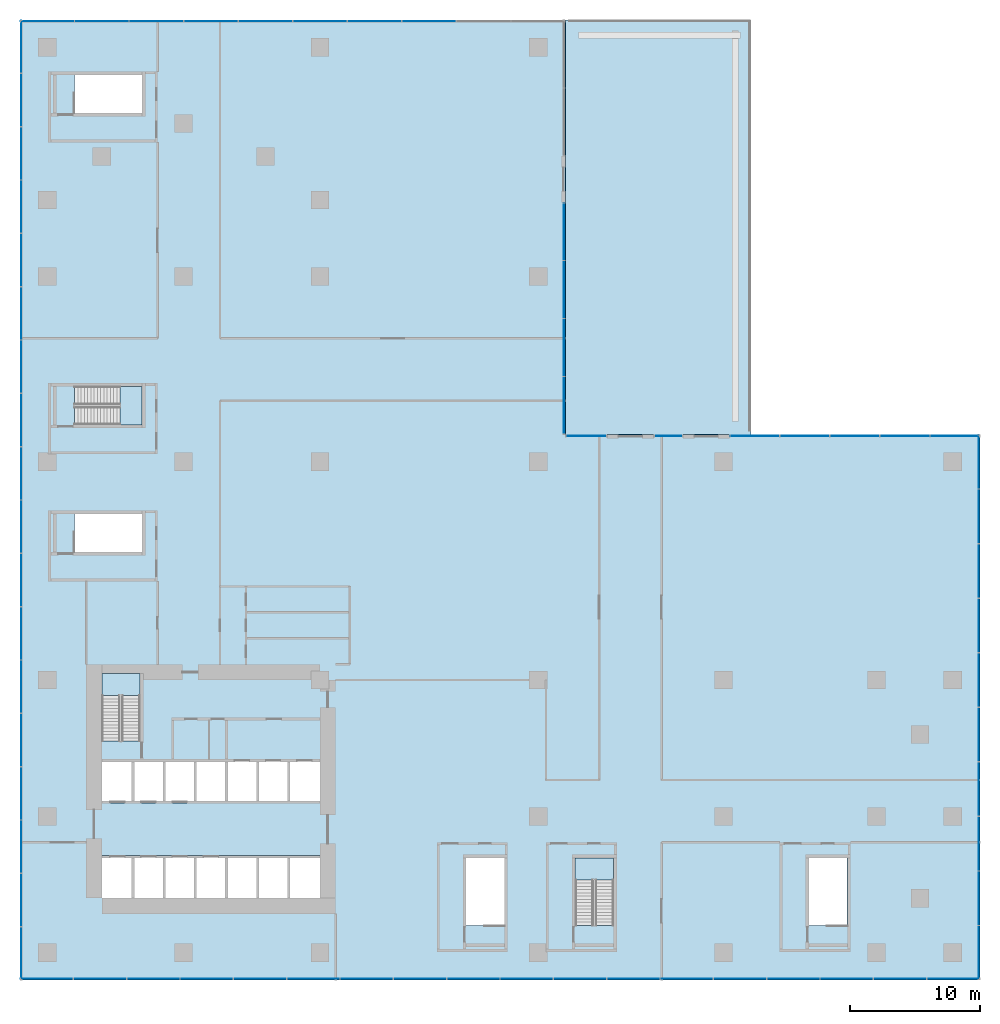
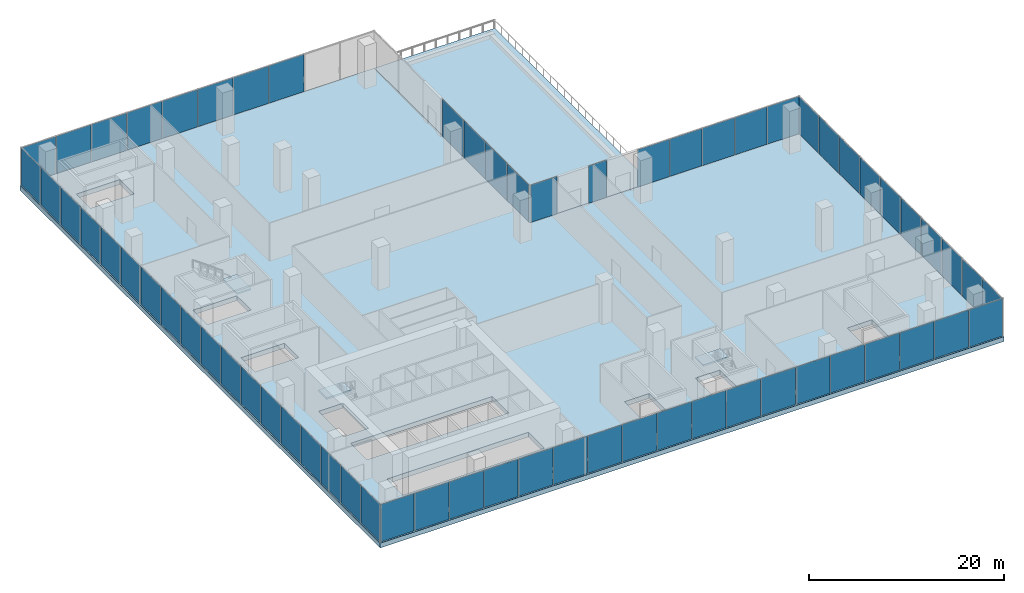
# One storey, part 12 of 21: 65 plates, 5 slabs, 11 elements without a shape of their own.
"""IFC4 building model written with IfcOpenShell, lengths in metres."""

from ifc_helpers import new_model, si_unit, direction, frame, origin, origin_2d, place, context, subcontext, project, spatial, polyline, rectangle, outline, extrude, source, transform, mapped, material, layer, layer_set, type_object, element, aggregate, save


model = new_model("IFC4")

# Units and contexts
model_context = context("Model", 3, precision=1e-05, world=origin(), true_north=direction((0.0, 1.0)))
body_context = subcontext(model_context, "Body", "Model", "MODEL_VIEW")
ifc_project = project(units=[si_unit("LENGTHUNIT", "METRE"), si_unit("AREAUNIT", "SQUARE_METRE"), si_unit("VOLUMEUNIT", "CUBIC_METRE"), si_unit("PLANEANGLEUNIT", "RADIAN"), si_unit("MASSUNIT", "GRAM", prefix="KILO")], contexts=[model_context])

# Site, building, storey
site_placement = place(None, origin())
site = spatial("IfcSite", under=ifc_project, at=site_placement, CompositionType="ELEMENT")
building_placement = place(site_placement, origin())
building = spatial("IfcBuilding", under=site, at=building_placement, Name="Aurelian Terraces", CompositionType="ELEMENT")
storey_placement = place(building_placement, frame((0.0, 0.0, 29.1)))
storey = spatial("IfcBuildingStorey", under=building, at=storey_placement, Name="L05", CompositionType="ELEMENT", Elevation=29.1)

# Slabs
ifc_material_1 = material(Name="Concrete fc' 40 MPa", Category="concrete")
ifc_layer_1 = layer(ifc_material_1, 0.6)
ifc_layer_set_1 = layer_set([ifc_layer_1], Name="PT FLAT PLATE 600")
slab_type_1 = type_object("IfcSlabType", Name="PT FLAT PLATE 600", PredefinedType="FLOOR", material=ifc_layer_set_1)
slab_1_placement = place(storey_placement, frame((0.0, 0.0, -0.6)))
element("IfcSlab", 1, at=slab_1_placement, inside=storey, type_object=slab_type_1, Name="Floor slab P L05", PredefinedType="FLOOR", context=body_context, shape_type="SweptSolid", body=[
    extrude(outline(polyline([(71.82, -2.1), (39.9, -2.1), (-2.1, -2.1), (-2.1, 39.9), (-2.1, 71.82), (39.9, 71.82), (39.9, 39.9), (71.82, 39.9), (71.82, -2.1)]), holes=[polyline([(58.66, 7.29), (58.66, 2.11), (61.59, 2.11), (61.59, 7.29), (58.66, 7.29)]), polyline([(40.66, 7.29), (40.66, 2.11), (43.59, 2.11), (43.59, 7.29), (40.66, 7.29)]), polyline([(32.26, 7.29), (32.26, 2.11), (35.19, 2.11), (35.19, 7.29), (32.26, 7.29)]), polyline([(4.21, 7.49), (4.21, 4.21), (20.99, 4.21), (20.99, 7.49), (4.21, 7.49)]), polyline([(4.21, 14.89), (4.21, 11.51), (20.99, 11.51), (20.99, 14.89), (4.21, 14.89)]), polyline([(7.29, 40.66), (7.29, 43.59), (2.11, 43.59), (2.11, 40.66), (7.29, 40.66)]), polyline([(7.29, 64.66), (7.29, 67.59), (2.11, 67.59), (2.11, 64.66), (7.29, 64.66)]), polyline([(7.29, 33.79), (2.11, 33.79), (2.11, 30.86), (7.29, 30.86), (7.29, 33.79)]), polyline([(4.21, 21.49), (4.21, 16.31), (7.14, 16.31), (7.14, 21.49), (4.21, 21.49)])]), origin(), (0.0, 0.0, 1.0), 0.6),
])
ifc_layer_2 = layer(ifc_material_1, 0.6001)
ifc_layer_set_2 = layer_set([ifc_layer_2], Name="Terrace slab 600")
slab_type_2 = type_object("IfcSlabType", Name="Terrace slab 600", PredefinedType="NOTDEFINED", material=ifc_layer_set_2)
slab_2_placement = place(storey_placement, frame((0.0, 0.0, -0.6001)))
element("IfcSlab", 2, at=slab_2_placement, inside=storey, type_object=slab_type_2, Name="Podium garden terrace L05 L05-X1", PredefinedType="NOTDEFINED", context=body_context, shape_type="SweptSolid", body=[
    extrude(outline(polyline([(54.18, 71.82), (54.18, 39.9), (39.9, 39.9), (39.9, 71.82), (54.18, 71.82)])), origin(), (0.0, 0.0, 1.0), 0.6001),
])

# Curtain wall, plates
ifc_material_2 = material(Name="Anodised aluminium and clear glazing", Category="aluminium")
ifc_layer_3 = layer(ifc_material_2, 0.2)
ifc_layer_set_3 = layer_set([ifc_layer_3], Name="Winter garden glazing curtain wall")
curtain_wall_type = type_object("IfcCurtainWallType", Name="Winter garden glazing curtain wall", PredefinedType="NOTDEFINED", material=ifc_layer_set_3)
curtain_wall_1_placement = place(storey_placement, origin())
curtain_wall_1 = element("IfcCurtainWall", 3, at=curtain_wall_1_placement, inside=storey, type_object=curtain_wall_type, Name="Winter garden glazing L05 F04.1", PredefinedType="NOTDEFINED")
ifc_material_3 = material(Name="Clear glazing", Category="glass")
ifc_layer_4 = layer(ifc_material_3, 0.028)
ifc_layer_set_4 = layer_set([ifc_layer_4], Name="Winter garden glazing glazing panel")
plate_type = type_object("IfcPlateType", Name="Winter garden glazing glazing panel", PredefinedType="CURTAIN_PANEL", material=ifc_layer_set_4)
plate_1_placement = place(storey_placement, frame((39.8, 42.1475, 0.06), z_axis=(0.0, 0.0, 1.0), x_axis=(0.0, 1.0, 0.0)))
plate_1 = element("IfcPlate", 4, at=plate_1_placement, type_object=plate_type, Name="CW6 panel 1.1", PredefinedType="CURTAIN_PANEL", context=body_context, shape_type="SweptSolid", body=[
    extrude(rectangle(XDim=4.375, YDim=0.028, at=origin_2d()), origin(), (0.0, 0.0, 1.0), 4.68),
])
plate_2_placement = place(storey_placement, frame((39.8, 46.5975, 0.06), z_axis=(0.0, 0.0, 1.0), x_axis=(0.0, 1.0, 0.0)))
plate_2 = element("IfcPlate", 5, at=plate_2_placement, type_object=plate_type, Name="CW6 panel 2.1", PredefinedType="CURTAIN_PANEL", context=body_context, shape_type="SweptSolid", body=[
    extrude(rectangle(XDim=4.405, YDim=0.028, at=origin_2d()), origin(), (0.0, 0.0, 1.0), 4.68),
])

curtain_wall_2_placement = place(storey_placement, origin())
curtain_wall_2 = element("IfcCurtainWall", 6, at=curtain_wall_2_placement, inside=storey, type_object=curtain_wall_type, Name="Winter garden glazing L05 F02.1", PredefinedType="NOTDEFINED")
shared_shape_1 = source(origin(), body_context, "Body", "SweptSolid", [
    extrude(rectangle(XDim=4.14, YDim=0.028, at=origin_2d()), origin(), (0.0, 0.0, 1.0), 4.68),
])
plate_3_placement = place(storey_placement, frame((71.72, 4.2, 0.06), z_axis=(0.0, 0.0, 1.0), x_axis=(0.0, 1.0, 0.0)))
plate_3 = element("IfcPlate", 7, at=plate_3_placement, type_object=plate_type, Name="CW6 panel 2.1", PredefinedType="CURTAIN_PANEL", context=body_context, shape_type="MappedRepresentation", body=[
    mapped(shared_shape_1, transform((0.0, 0.0, 0.0), scale=1.0)),
])
plate_4_placement = place(storey_placement, frame((71.72, 8.4, 0.06), z_axis=(0.0, 0.0, 1.0), x_axis=(0.0, 1.0, 0.0)))
plate_4 = element("IfcPlate", 8, at=plate_4_placement, type_object=plate_type, Name="CW6 panel 3.1", PredefinedType="CURTAIN_PANEL", context=body_context, shape_type="MappedRepresentation", body=[
    mapped(shared_shape_1, transform((0.0, 0.0, 0.0), scale=1.0)),
])
plate_5_placement = place(storey_placement, frame((71.72, 12.6, 0.06), z_axis=(0.0, 0.0, 1.0), x_axis=(0.0, 1.0, 0.0)))
plate_5 = element("IfcPlate", 9, at=plate_5_placement, type_object=plate_type, Name="CW6 panel 4.1", PredefinedType="CURTAIN_PANEL", context=body_context, shape_type="MappedRepresentation", body=[
    mapped(shared_shape_1, transform((0.0, 0.0, 0.0), scale=1.0)),
])
plate_6_placement = place(storey_placement, frame((71.72, 16.8, 0.06), z_axis=(0.0, 0.0, 1.0), x_axis=(0.0, 1.0, 0.0)))
plate_6 = element("IfcPlate", 10, at=plate_6_placement, type_object=plate_type, Name="CW6 panel 5.1", PredefinedType="CURTAIN_PANEL", context=body_context, shape_type="MappedRepresentation", body=[
    mapped(shared_shape_1, transform((0.0, 0.0, 0.0), scale=1.0)),
])
plate_7_placement = place(storey_placement, frame((71.72, 21.0, 0.06), z_axis=(0.0, 0.0, 1.0), x_axis=(0.0, 1.0, 0.0)))
plate_7 = element("IfcPlate", 11, at=plate_7_placement, type_object=plate_type, Name="CW6 panel 6.1", PredefinedType="CURTAIN_PANEL", context=body_context, shape_type="MappedRepresentation", body=[
    mapped(shared_shape_1, transform((0.0, 0.0, 0.0), scale=1.0)),
])
plate_8_placement = place(storey_placement, frame((71.72, 25.2, 0.06), z_axis=(0.0, 0.0, 1.0), x_axis=(0.0, 1.0, 0.0)))
plate_8 = element("IfcPlate", 12, at=plate_8_placement, type_object=plate_type, Name="CW6 panel 7.1", PredefinedType="CURTAIN_PANEL", context=body_context, shape_type="MappedRepresentation", body=[
    mapped(shared_shape_1, transform((0.0, 0.0, 0.0), scale=1.0)),
])
plate_9_placement = place(storey_placement, frame((71.72, 29.4, 0.06), z_axis=(0.0, 0.0, 1.0), x_axis=(0.0, 1.0, 0.0)))
plate_9 = element("IfcPlate", 13, at=plate_9_placement, type_object=plate_type, Name="CW6 panel 8.1", PredefinedType="CURTAIN_PANEL", context=body_context, shape_type="MappedRepresentation", body=[
    mapped(shared_shape_1, transform((0.0, 0.0, 0.0), scale=1.0)),
])
plate_10_placement = place(storey_placement, frame((71.72, 33.6, 0.06), z_axis=(0.0, 0.0, 1.0), x_axis=(0.0, 1.0, 0.0)))
plate_10 = element("IfcPlate", 14, at=plate_10_placement, type_object=plate_type, Name="CW6 panel 9.1", PredefinedType="CURTAIN_PANEL", context=body_context, shape_type="MappedRepresentation", body=[
    mapped(shared_shape_1, transform((0.0, 0.0, 0.0), scale=1.0)),
])

curtain_wall_3_placement = place(storey_placement, origin())
curtain_wall_3 = element("IfcCurtainWall", 15, at=curtain_wall_3_placement, inside=storey, type_object=curtain_wall_type, Name="Winter garden glazing L05 F05.1", PredefinedType="NOTDEFINED")
plate_11_placement = place(storey_placement, frame((29.4, 71.72, 0.06), z_axis=(0.0, 0.0, 1.0), x_axis=(-1.0, 0.0, 0.0)))
plate_11 = element("IfcPlate", 16, at=plate_11_placement, type_object=plate_type, Name="CW6 panel 3.1", PredefinedType="CURTAIN_PANEL", context=body_context, shape_type="MappedRepresentation", body=[
    mapped(shared_shape_1, transform((0.0, 0.0, 0.0), scale=1.0)),
])
plate_12_placement = place(storey_placement, frame((25.2, 71.72, 0.06), z_axis=(0.0, 0.0, 1.0), x_axis=(-1.0, 0.0, 0.0)))
plate_12 = element("IfcPlate", 17, at=plate_12_placement, type_object=plate_type, Name="CW6 panel 4.1", PredefinedType="CURTAIN_PANEL", context=body_context, shape_type="MappedRepresentation", body=[
    mapped(shared_shape_1, transform((0.0, 0.0, 0.0), scale=1.0)),
])
plate_13_placement = place(storey_placement, frame((21.0, 71.72, 0.06), z_axis=(0.0, 0.0, 1.0), x_axis=(-1.0, 0.0, 0.0)))
plate_13 = element("IfcPlate", 18, at=plate_13_placement, type_object=plate_type, Name="CW6 panel 5.1", PredefinedType="CURTAIN_PANEL", context=body_context, shape_type="MappedRepresentation", body=[
    mapped(shared_shape_1, transform((0.0, 0.0, 0.0), scale=1.0)),
])
plate_14_placement = place(storey_placement, frame((16.8, 71.72, 0.06), z_axis=(0.0, 0.0, 1.0), x_axis=(-1.0, 0.0, 0.0)))
plate_14 = element("IfcPlate", 19, at=plate_14_placement, type_object=plate_type, Name="CW6 panel 6.1", PredefinedType="CURTAIN_PANEL", context=body_context, shape_type="MappedRepresentation", body=[
    mapped(shared_shape_1, transform((0.0, 0.0, 0.0), scale=1.0)),
])
plate_15_placement = place(storey_placement, frame((12.6, 71.72, 0.06), z_axis=(0.0, 0.0, 1.0), x_axis=(-1.0, 0.0, 0.0)))
plate_15 = element("IfcPlate", 20, at=plate_15_placement, type_object=plate_type, Name="CW6 panel 7.1", PredefinedType="CURTAIN_PANEL", context=body_context, shape_type="MappedRepresentation", body=[
    mapped(shared_shape_1, transform((0.0, 0.0, 0.0), scale=1.0)),
])
plate_16_placement = place(storey_placement, frame((8.4, 71.72, 0.06), z_axis=(0.0, 0.0, 1.0), x_axis=(-1.0, 0.0, 0.0)))
plate_16 = element("IfcPlate", 21, at=plate_16_placement, type_object=plate_type, Name="CW6 panel 8.1", PredefinedType="CURTAIN_PANEL", context=body_context, shape_type="MappedRepresentation", body=[
    mapped(shared_shape_1, transform((0.0, 0.0, 0.0), scale=1.0)),
])
plate_17_placement = place(storey_placement, frame((4.2, 71.72, 0.06), z_axis=(0.0, 0.0, 1.0), x_axis=(-1.0, 0.0, 0.0)))
plate_17 = element("IfcPlate", 22, at=plate_17_placement, type_object=plate_type, Name="CW6 panel 9.1", PredefinedType="CURTAIN_PANEL", context=body_context, shape_type="MappedRepresentation", body=[
    mapped(shared_shape_1, transform((0.0, 0.0, 0.0), scale=1.0)),
])

# Plate
shared_shape_2 = source(origin(), body_context, "Body", "SweptSolid", [
    extrude(rectangle(XDim=4.11, YDim=0.028, at=origin_2d()), origin(), (0.0, 0.0, 1.0), 4.68),
])
plate_18_placement = place(storey_placement, frame((71.72, 0.015, 0.06), z_axis=(0.0, 0.0, 1.0), x_axis=(0.0, 1.0, 0.0)))
plate_18 = element("IfcPlate", 23, at=plate_18_placement, type_object=plate_type, Name="CW6 panel 1.1", PredefinedType="CURTAIN_PANEL", context=body_context, shape_type="MappedRepresentation", body=[
    mapped(shared_shape_2, transform((0.0, 0.0, 0.0), scale=1.0)),
])

plate_19_placement = place(storey_placement, frame((71.72, 37.785, 0.06), z_axis=(0.0, 0.0, 1.0), x_axis=(0.0, 1.0, 0.0)))
plate_19 = element("IfcPlate", 24, at=plate_19_placement, type_object=plate_type, Name="CW6 panel 10.1", PredefinedType="CURTAIN_PANEL", context=body_context, shape_type="MappedRepresentation", body=[
    mapped(shared_shape_2, transform((0.0, 0.0, 0.0), scale=1.0)),
])

aggregate(curtain_wall_2, [plate_18, plate_3, plate_4, plate_5, plate_6, plate_7, plate_8, plate_9, plate_10, plate_19])

plate_20_placement = place(storey_placement, frame((0.015, 71.72, 0.06), z_axis=(0.0, 0.0, 1.0), x_axis=(-1.0, 0.0, 0.0)))
plate_20 = element("IfcPlate", 25, at=plate_20_placement, type_object=plate_type, Name="CW6 panel 10.1", PredefinedType="CURTAIN_PANEL", context=body_context, shape_type="MappedRepresentation", body=[
    mapped(shared_shape_2, transform((0.0, 0.0, 0.0), scale=1.0)),
])

aggregate(curtain_wall_3, [plate_11, plate_12, plate_13, plate_14, plate_15, plate_16, plate_17, plate_20])

# Curtain wall, plates
curtain_wall_4_placement = place(storey_placement, origin())
curtain_wall_4 = element("IfcCurtainWall", 26, at=curtain_wall_4_placement, inside=storey, type_object=curtain_wall_type, Name="Winter garden glazing L05 F01.1", PredefinedType="NOTDEFINED")
shared_shape_3 = source(origin(), body_context, "Body", "SweptSolid", [
    extrude(rectangle(XDim=4.0467, YDim=0.028, at=origin_2d()), origin(), (0.0, 0.0, 1.0), 4.68),
])
plate_21_placement = place(storey_placement, frame((4.06, -2.0, 0.06), z_axis=(0.0, 0.0, 1.0), x_axis=(1.0, 0.0, 0.0)))
plate_21 = element("IfcPlate", 27, at=plate_21_placement, type_object=plate_type, Name="CW6 panel 2.1", PredefinedType="CURTAIN_PANEL", context=body_context, shape_type="MappedRepresentation", body=[
    mapped(shared_shape_3, transform((0.0, 0.0, 0.0), scale=1.0)),
])
plate_22_placement = place(storey_placement, frame((8.1667, -2.0, 0.06), z_axis=(0.0, 0.0, 1.0), x_axis=(1.0, 0.0, 0.0)))
plate_22 = element("IfcPlate", 28, at=plate_22_placement, type_object=plate_type, Name="CW6 panel 3.1", PredefinedType="CURTAIN_PANEL", context=body_context, shape_type="MappedRepresentation", body=[
    mapped(shared_shape_3, transform((0.0, 0.0, 0.0), scale=1.0)),
])
plate_23_placement = place(storey_placement, frame((12.2733, -2.0, 0.06), z_axis=(0.0, 0.0, 1.0), x_axis=(1.0, 0.0, 0.0)))
plate_23 = element("IfcPlate", 29, at=plate_23_placement, type_object=plate_type, Name="CW6 panel 4.1", PredefinedType="CURTAIN_PANEL", context=body_context, shape_type="MappedRepresentation", body=[
    mapped(shared_shape_3, transform((0.0, 0.0, 0.0), scale=1.0)),
])
plate_24_placement = place(storey_placement, frame((16.38, -2.0, 0.06), z_axis=(0.0, 0.0, 1.0), x_axis=(1.0, 0.0, 0.0)))
plate_24 = element("IfcPlate", 30, at=plate_24_placement, type_object=plate_type, Name="CW6 panel 5.1", PredefinedType="CURTAIN_PANEL", context=body_context, shape_type="MappedRepresentation", body=[
    mapped(shared_shape_3, transform((0.0, 0.0, 0.0), scale=1.0)),
])
plate_25_placement = place(storey_placement, frame((20.4867, -2.0, 0.06), z_axis=(0.0, 0.0, 1.0), x_axis=(1.0, 0.0, 0.0)))
plate_25 = element("IfcPlate", 31, at=plate_25_placement, type_object=plate_type, Name="CW6 panel 6.1", PredefinedType="CURTAIN_PANEL", context=body_context, shape_type="MappedRepresentation", body=[
    mapped(shared_shape_3, transform((0.0, 0.0, 0.0), scale=1.0)),
])
plate_26_placement = place(storey_placement, frame((24.5933, -2.0, 0.06), z_axis=(0.0, 0.0, 1.0), x_axis=(1.0, 0.0, 0.0)))
plate_26 = element("IfcPlate", 32, at=plate_26_placement, type_object=plate_type, Name="CW6 panel 7.1", PredefinedType="CURTAIN_PANEL", context=body_context, shape_type="MappedRepresentation", body=[
    mapped(shared_shape_3, transform((0.0, 0.0, 0.0), scale=1.0)),
])
plate_27_placement = place(storey_placement, frame((28.7, -2.0, 0.06), z_axis=(0.0, 0.0, 1.0), x_axis=(1.0, 0.0, 0.0)))
plate_27 = element("IfcPlate", 33, at=plate_27_placement, type_object=plate_type, Name="CW6 panel 8.1", PredefinedType="CURTAIN_PANEL", context=body_context, shape_type="MappedRepresentation", body=[
    mapped(shared_shape_3, transform((0.0, 0.0, 0.0), scale=1.0)),
])
plate_28_placement = place(storey_placement, frame((32.8067, -2.0, 0.06), z_axis=(0.0, 0.0, 1.0), x_axis=(1.0, 0.0, 0.0)))
plate_28 = element("IfcPlate", 34, at=plate_28_placement, type_object=plate_type, Name="CW6 panel 9.1", PredefinedType="CURTAIN_PANEL", context=body_context, shape_type="MappedRepresentation", body=[
    mapped(shared_shape_3, transform((0.0, 0.0, 0.0), scale=1.0)),
])
plate_29_placement = place(storey_placement, frame((36.9133, -2.0, 0.06), z_axis=(0.0, 0.0, 1.0), x_axis=(1.0, 0.0, 0.0)))
plate_29 = element("IfcPlate", 35, at=plate_29_placement, type_object=plate_type, Name="CW6 panel 10.1", PredefinedType="CURTAIN_PANEL", context=body_context, shape_type="MappedRepresentation", body=[
    mapped(shared_shape_3, transform((0.0, 0.0, 0.0), scale=1.0)),
])
plate_30_placement = place(storey_placement, frame((41.02, -2.0, 0.06), z_axis=(0.0, 0.0, 1.0), x_axis=(1.0, 0.0, 0.0)))
plate_30 = element("IfcPlate", 36, at=plate_30_placement, type_object=plate_type, Name="CW6 panel 11.1", PredefinedType="CURTAIN_PANEL", context=body_context, shape_type="MappedRepresentation", body=[
    mapped(shared_shape_3, transform((0.0, 0.0, 0.0), scale=1.0)),
])
plate_31_placement = place(storey_placement, frame((45.1267, -2.0, 0.06), z_axis=(0.0, 0.0, 1.0), x_axis=(1.0, 0.0, 0.0)))
plate_31 = element("IfcPlate", 37, at=plate_31_placement, type_object=plate_type, Name="CW6 panel 12.1", PredefinedType="CURTAIN_PANEL", context=body_context, shape_type="MappedRepresentation", body=[
    mapped(shared_shape_3, transform((0.0, 0.0, 0.0), scale=1.0)),
])
plate_32_placement = place(storey_placement, frame((49.2333, -2.0, 0.06), z_axis=(0.0, 0.0, 1.0), x_axis=(1.0, 0.0, 0.0)))
plate_32 = element("IfcPlate", 38, at=plate_32_placement, type_object=plate_type, Name="CW6 panel 13.1", PredefinedType="CURTAIN_PANEL", context=body_context, shape_type="MappedRepresentation", body=[
    mapped(shared_shape_3, transform((0.0, 0.0, 0.0), scale=1.0)),
])
plate_33_placement = place(storey_placement, frame((53.34, -2.0, 0.06), z_axis=(0.0, 0.0, 1.0), x_axis=(1.0, 0.0, 0.0)))
plate_33 = element("IfcPlate", 39, at=plate_33_placement, type_object=plate_type, Name="CW6 panel 14.1", PredefinedType="CURTAIN_PANEL", context=body_context, shape_type="MappedRepresentation", body=[
    mapped(shared_shape_3, transform((0.0, 0.0, 0.0), scale=1.0)),
])
plate_34_placement = place(storey_placement, frame((57.4467, -2.0, 0.06), z_axis=(0.0, 0.0, 1.0), x_axis=(1.0, 0.0, 0.0)))
plate_34 = element("IfcPlate", 40, at=plate_34_placement, type_object=plate_type, Name="CW6 panel 15.1", PredefinedType="CURTAIN_PANEL", context=body_context, shape_type="MappedRepresentation", body=[
    mapped(shared_shape_3, transform((0.0, 0.0, 0.0), scale=1.0)),
])
plate_35_placement = place(storey_placement, frame((61.5533, -2.0, 0.06), z_axis=(0.0, 0.0, 1.0), x_axis=(1.0, 0.0, 0.0)))
plate_35 = element("IfcPlate", 41, at=plate_35_placement, type_object=plate_type, Name="CW6 panel 16.1", PredefinedType="CURTAIN_PANEL", context=body_context, shape_type="MappedRepresentation", body=[
    mapped(shared_shape_3, transform((0.0, 0.0, 0.0), scale=1.0)),
])
plate_36_placement = place(storey_placement, frame((65.66, -2.0, 0.06), z_axis=(0.0, 0.0, 1.0), x_axis=(1.0, 0.0, 0.0)))
plate_36 = element("IfcPlate", 42, at=plate_36_placement, type_object=plate_type, Name="CW6 panel 17.1", PredefinedType="CURTAIN_PANEL", context=body_context, shape_type="MappedRepresentation", body=[
    mapped(shared_shape_3, transform((0.0, 0.0, 0.0), scale=1.0)),
])

curtain_wall_5_placement = place(storey_placement, origin())
curtain_wall_5 = element("IfcCurtainWall", 43, at=curtain_wall_5_placement, inside=storey, type_object=curtain_wall_type, Name="Winter garden glazing L05 F06.1", PredefinedType="NOTDEFINED")
plate_37_placement = place(storey_placement, frame((-2.0, 65.66, 0.06), z_axis=(0.0, 0.0, 1.0), x_axis=(0.0, -1.0, 0.0)))
plate_37 = element("IfcPlate", 44, at=plate_37_placement, type_object=plate_type, Name="CW6 panel 2.1", PredefinedType="CURTAIN_PANEL", context=body_context, shape_type="MappedRepresentation", body=[
    mapped(shared_shape_3, transform((0.0, 0.0, 0.0), scale=1.0)),
])
plate_38_placement = place(storey_placement, frame((-2.0, 61.5533, 0.06), z_axis=(0.0, 0.0, 1.0), x_axis=(0.0, -1.0, 0.0)))
plate_38 = element("IfcPlate", 45, at=plate_38_placement, type_object=plate_type, Name="CW6 panel 3.1", PredefinedType="CURTAIN_PANEL", context=body_context, shape_type="MappedRepresentation", body=[
    mapped(shared_shape_3, transform((0.0, 0.0, 0.0), scale=1.0)),
])
plate_39_placement = place(storey_placement, frame((-2.0, 57.4467, 0.06), z_axis=(0.0, 0.0, 1.0), x_axis=(0.0, -1.0, 0.0)))
plate_39 = element("IfcPlate", 46, at=plate_39_placement, type_object=plate_type, Name="CW6 panel 4.1", PredefinedType="CURTAIN_PANEL", context=body_context, shape_type="MappedRepresentation", body=[
    mapped(shared_shape_3, transform((0.0, 0.0, 0.0), scale=1.0)),
])
plate_40_placement = place(storey_placement, frame((-2.0, 53.34, 0.06), z_axis=(0.0, 0.0, 1.0), x_axis=(0.0, -1.0, 0.0)))
plate_40 = element("IfcPlate", 47, at=plate_40_placement, type_object=plate_type, Name="CW6 panel 5.1", PredefinedType="CURTAIN_PANEL", context=body_context, shape_type="MappedRepresentation", body=[
    mapped(shared_shape_3, transform((0.0, 0.0, 0.0), scale=1.0)),
])
plate_41_placement = place(storey_placement, frame((-2.0, 49.2333, 0.06), z_axis=(0.0, 0.0, 1.0), x_axis=(0.0, -1.0, 0.0)))
plate_41 = element("IfcPlate", 48, at=plate_41_placement, type_object=plate_type, Name="CW6 panel 6.1", PredefinedType="CURTAIN_PANEL", context=body_context, shape_type="MappedRepresentation", body=[
    mapped(shared_shape_3, transform((0.0, 0.0, 0.0), scale=1.0)),
])
plate_42_placement = place(storey_placement, frame((-2.0, 45.1267, 0.06), z_axis=(0.0, 0.0, 1.0), x_axis=(0.0, -1.0, 0.0)))
plate_42 = element("IfcPlate", 49, at=plate_42_placement, type_object=plate_type, Name="CW6 panel 7.1", PredefinedType="CURTAIN_PANEL", context=body_context, shape_type="MappedRepresentation", body=[
    mapped(shared_shape_3, transform((0.0, 0.0, 0.0), scale=1.0)),
])
plate_43_placement = place(storey_placement, frame((-2.0, 41.02, 0.06), z_axis=(0.0, 0.0, 1.0), x_axis=(0.0, -1.0, 0.0)))
plate_43 = element("IfcPlate", 50, at=plate_43_placement, type_object=plate_type, Name="CW6 panel 8.1", PredefinedType="CURTAIN_PANEL", context=body_context, shape_type="MappedRepresentation", body=[
    mapped(shared_shape_3, transform((0.0, 0.0, 0.0), scale=1.0)),
])
plate_44_placement = place(storey_placement, frame((-2.0, 36.9133, 0.06), z_axis=(0.0, 0.0, 1.0), x_axis=(0.0, -1.0, 0.0)))
plate_44 = element("IfcPlate", 51, at=plate_44_placement, type_object=plate_type, Name="CW6 panel 9.1", PredefinedType="CURTAIN_PANEL", context=body_context, shape_type="MappedRepresentation", body=[
    mapped(shared_shape_3, transform((0.0, 0.0, 0.0), scale=1.0)),
])
plate_45_placement = place(storey_placement, frame((-2.0, 32.8067, 0.06), z_axis=(0.0, 0.0, 1.0), x_axis=(0.0, -1.0, 0.0)))
plate_45 = element("IfcPlate", 52, at=plate_45_placement, type_object=plate_type, Name="CW6 panel 10.1", PredefinedType="CURTAIN_PANEL", context=body_context, shape_type="MappedRepresentation", body=[
    mapped(shared_shape_3, transform((0.0, 0.0, 0.0), scale=1.0)),
])
plate_46_placement = place(storey_placement, frame((-2.0, 28.7, 0.06), z_axis=(0.0, 0.0, 1.0), x_axis=(0.0, -1.0, 0.0)))
plate_46 = element("IfcPlate", 53, at=plate_46_placement, type_object=plate_type, Name="CW6 panel 11.1", PredefinedType="CURTAIN_PANEL", context=body_context, shape_type="MappedRepresentation", body=[
    mapped(shared_shape_3, transform((0.0, 0.0, 0.0), scale=1.0)),
])
plate_47_placement = place(storey_placement, frame((-2.0, 24.5933, 0.06), z_axis=(0.0, 0.0, 1.0), x_axis=(0.0, -1.0, 0.0)))
plate_47 = element("IfcPlate", 54, at=plate_47_placement, type_object=plate_type, Name="CW6 panel 12.1", PredefinedType="CURTAIN_PANEL", context=body_context, shape_type="MappedRepresentation", body=[
    mapped(shared_shape_3, transform((0.0, 0.0, 0.0), scale=1.0)),
])
plate_48_placement = place(storey_placement, frame((-2.0, 20.4867, 0.06), z_axis=(0.0, 0.0, 1.0), x_axis=(0.0, -1.0, 0.0)))
plate_48 = element("IfcPlate", 55, at=plate_48_placement, type_object=plate_type, Name="CW6 panel 13.1", PredefinedType="CURTAIN_PANEL", context=body_context, shape_type="MappedRepresentation", body=[
    mapped(shared_shape_3, transform((0.0, 0.0, 0.0), scale=1.0)),
])
plate_49_placement = place(storey_placement, frame((-2.0, 16.38, 0.06), z_axis=(0.0, 0.0, 1.0), x_axis=(0.0, -1.0, 0.0)))
plate_49 = element("IfcPlate", 56, at=plate_49_placement, type_object=plate_type, Name="CW6 panel 14.1", PredefinedType="CURTAIN_PANEL", context=body_context, shape_type="MappedRepresentation", body=[
    mapped(shared_shape_3, transform((0.0, 0.0, 0.0), scale=1.0)),
])
plate_50_placement = place(storey_placement, frame((-2.0, 12.2733, 0.06), z_axis=(0.0, 0.0, 1.0), x_axis=(0.0, -1.0, 0.0)))
plate_50 = element("IfcPlate", 57, at=plate_50_placement, type_object=plate_type, Name="CW6 panel 15.1", PredefinedType="CURTAIN_PANEL", context=body_context, shape_type="MappedRepresentation", body=[
    mapped(shared_shape_3, transform((0.0, 0.0, 0.0), scale=1.0)),
])
plate_51_placement = place(storey_placement, frame((-2.0, 8.1667, 0.06), z_axis=(0.0, 0.0, 1.0), x_axis=(0.0, -1.0, 0.0)))
plate_51 = element("IfcPlate", 58, at=plate_51_placement, type_object=plate_type, Name="CW6 panel 16.1", PredefinedType="CURTAIN_PANEL", context=body_context, shape_type="MappedRepresentation", body=[
    mapped(shared_shape_3, transform((0.0, 0.0, 0.0), scale=1.0)),
])
plate_52_placement = place(storey_placement, frame((-2.0, 4.06, 0.06), z_axis=(0.0, 0.0, 1.0), x_axis=(0.0, -1.0, 0.0)))
plate_52 = element("IfcPlate", 59, at=plate_52_placement, type_object=plate_type, Name="CW6 panel 17.1", PredefinedType="CURTAIN_PANEL", context=body_context, shape_type="MappedRepresentation", body=[
    mapped(shared_shape_3, transform((0.0, 0.0, 0.0), scale=1.0)),
])

# Plate
shared_shape_4 = source(origin(), body_context, "Body", "SweptSolid", [
    extrude(rectangle(XDim=4.0167, YDim=0.028, at=origin_2d()), origin(), (0.0, 0.0, 1.0), 4.68),
])
plate_53_placement = place(storey_placement, frame((-0.0317, -2.0, 0.06), z_axis=(0.0, 0.0, 1.0), x_axis=(1.0, 0.0, 0.0)))
plate_53 = element("IfcPlate", 60, at=plate_53_placement, type_object=plate_type, Name="CW6 panel 1.1", PredefinedType="CURTAIN_PANEL", context=body_context, shape_type="MappedRepresentation", body=[
    mapped(shared_shape_4, transform((0.0, 0.0, 0.0), scale=1.0)),
])

plate_54_placement = place(storey_placement, frame((69.7517, -2.0, 0.06), z_axis=(0.0, 0.0, 1.0), x_axis=(1.0, 0.0, 0.0)))
plate_54 = element("IfcPlate", 61, at=plate_54_placement, type_object=plate_type, Name="CW6 panel 18.1", PredefinedType="CURTAIN_PANEL", context=body_context, shape_type="MappedRepresentation", body=[
    mapped(shared_shape_4, transform((0.0, 0.0, 0.0), scale=1.0)),
])

aggregate(curtain_wall_4, [plate_53, plate_21, plate_22, plate_23, plate_24, plate_25, plate_26, plate_27, plate_28, plate_29, plate_30, plate_31, plate_32, plate_33, plate_34, plate_35, plate_36, plate_54])

plate_55_placement = place(storey_placement, frame((-2.0, 69.7517, 0.06), z_axis=(0.0, 0.0, 1.0), x_axis=(0.0, -1.0, 0.0)))
plate_55 = element("IfcPlate", 62, at=plate_55_placement, type_object=plate_type, Name="CW6 panel 1.1", PredefinedType="CURTAIN_PANEL", context=body_context, shape_type="MappedRepresentation", body=[
    mapped(shared_shape_4, transform((0.0, 0.0, 0.0), scale=1.0)),
])

plate_56_placement = place(storey_placement, frame((-2.0, -0.0317, 0.06), z_axis=(0.0, 0.0, 1.0), x_axis=(0.0, -1.0, 0.0)))
plate_56 = element("IfcPlate", 63, at=plate_56_placement, type_object=plate_type, Name="CW6 panel 18.1", PredefinedType="CURTAIN_PANEL", context=body_context, shape_type="MappedRepresentation", body=[
    mapped(shared_shape_4, transform((0.0, 0.0, 0.0), scale=1.0)),
])

aggregate(curtain_wall_5, [plate_55, plate_37, plate_38, plate_39, plate_40, plate_41, plate_42, plate_43, plate_44, plate_45, plate_46, plate_47, plate_48, plate_49, plate_50, plate_51, plate_52, plate_56])

# Curtain wall, plates
curtain_wall_6_placement = place(storey_placement, origin())
curtain_wall_6 = element("IfcCurtainWall", 64, at=curtain_wall_6_placement, inside=storey, type_object=curtain_wall_type, Name="Winter garden glazing L05 F03.1", PredefinedType="NOTDEFINED")
shared_shape_5 = source(origin(), body_context, "Body", "SweptSolid", [
    extrude(rectangle(XDim=3.796, YDim=0.028, at=origin_2d()), origin(), (0.0, 0.0, 1.0), 4.68),
])
plate_57_placement = place(storey_placement, frame((66.036, 39.8, 0.06), z_axis=(0.0, 0.0, 1.0), x_axis=(-1.0, 0.0, 0.0)))
plate_57 = element("IfcPlate", 65, at=plate_57_placement, type_object=plate_type, Name="CW6 panel 2.1", PredefinedType="CURTAIN_PANEL", context=body_context, shape_type="MappedRepresentation", body=[
    mapped(shared_shape_5, transform((0.0, 0.0, 0.0), scale=1.0)),
])
plate_58_placement = place(storey_placement, frame((62.18, 39.8, 0.06), z_axis=(0.0, 0.0, 1.0), x_axis=(-1.0, 0.0, 0.0)))
plate_58 = element("IfcPlate", 66, at=plate_58_placement, type_object=plate_type, Name="CW6 panel 3.1", PredefinedType="CURTAIN_PANEL", context=body_context, shape_type="MappedRepresentation", body=[
    mapped(shared_shape_5, transform((0.0, 0.0, 0.0), scale=1.0)),
])
plate_59_placement = place(storey_placement, frame((58.324, 39.8, 0.06), z_axis=(0.0, 0.0, 1.0), x_axis=(-1.0, 0.0, 0.0)))
plate_59 = element("IfcPlate", 67, at=plate_59_placement, type_object=plate_type, Name="CW6 panel 4.1", PredefinedType="CURTAIN_PANEL", context=body_context, shape_type="MappedRepresentation", body=[
    mapped(shared_shape_5, transform((0.0, 0.0, 0.0), scale=1.0)),
])
shared_shape_6 = source(origin(), body_context, "Body", "SweptSolid", [
    extrude(rectangle(XDim=3.766, YDim=0.028, at=origin_2d()), origin(), (0.0, 0.0, 1.0), 4.68),
])
plate_60_placement = place(storey_placement, frame((69.877, 39.8, 0.06), z_axis=(0.0, 0.0, 1.0), x_axis=(-1.0, 0.0, 0.0)))
plate_60 = element("IfcPlate", 68, at=plate_60_placement, type_object=plate_type, Name="CW6 panel 1.1", PredefinedType="CURTAIN_PANEL", context=body_context, shape_type="MappedRepresentation", body=[
    mapped(shared_shape_6, transform((0.0, 0.0, 0.0), scale=1.0)),
])
plate_61_placement = place(storey_placement, frame((54.483, 39.8, 0.06), z_axis=(0.0, 0.0, 1.0), x_axis=(-1.0, 0.0, 0.0)))
plate_61 = element("IfcPlate", 69, at=plate_61_placement, type_object=plate_type, Name="CW6 panel 5.1", PredefinedType="CURTAIN_PANEL", context=body_context, shape_type="MappedRepresentation", body=[
    mapped(shared_shape_6, transform((0.0, 0.0, 0.0), scale=1.0)),
])
aggregate(curtain_wall_6, [plate_60, plate_57, plate_58, plate_59, plate_61])

# Curtain wall, plate
curtain_wall_7_placement = place(storey_placement, origin())
curtain_wall_7 = element("IfcCurtainWall", 70, at=curtain_wall_7_placement, inside=storey, type_object=curtain_wall_type, Name="Winter garden glazing L05 F03.3", PredefinedType="NOTDEFINED")
shared_shape_7 = source(origin(), body_context, "Body", "SweptSolid", [
    extrude(rectangle(XDim=2.12, YDim=0.028, at=origin_2d()), origin(), (0.0, 0.0, 1.0), 4.68),
])
plate_62_placement = place(storey_placement, frame((47.82, 39.8, 0.06), z_axis=(0.0, 0.0, 1.0), x_axis=(-1.0, 0.0, 0.0)))
plate_62 = element("IfcPlate", 71, at=plate_62_placement, type_object=plate_type, Name="CW6 panel 1.1", PredefinedType="CURTAIN_PANEL", context=body_context, shape_type="MappedRepresentation", body=[
    mapped(shared_shape_7, transform((0.0, 0.0, 0.0), scale=1.0)),
])
aggregate(curtain_wall_7, [plate_62])

curtain_wall_8_placement = place(storey_placement, origin())
curtain_wall_8 = element("IfcCurtainWall", 72, at=curtain_wall_8_placement, inside=storey, type_object=curtain_wall_type, Name="Winter garden glazing L05 F03.5", PredefinedType="NOTDEFINED")
shared_shape_8 = source(origin(), body_context, "Body", "SweptSolid", [
    extrude(rectangle(XDim=3.08, YDim=0.028, at=origin_2d()), origin(), (0.0, 0.0, 1.0), 4.68),
])
plate_63_placement = place(storey_placement, frame((41.5, 39.8, 0.06), z_axis=(0.0, 0.0, 1.0), x_axis=(-1.0, 0.0, 0.0)))
plate_63 = element("IfcPlate", 73, at=plate_63_placement, type_object=plate_type, Name="CW6 panel 1.1", PredefinedType="CURTAIN_PANEL", context=body_context, shape_type="MappedRepresentation", body=[
    mapped(shared_shape_8, transform((0.0, 0.0, 0.0), scale=1.0)),
])
aggregate(curtain_wall_8, [plate_63])

# Plate
shared_shape_9 = source(origin(), body_context, "Body", "SweptSolid", [
    extrude(rectangle(XDim=4.405, YDim=0.028, at=origin_2d()), origin(), (0.0, 0.0, 1.0), 4.68),
])
plate_64_placement = place(storey_placement, frame((39.8, 51.0625, 0.06), z_axis=(0.0, 0.0, 1.0), x_axis=(0.0, 1.0, 0.0)))
plate_64 = element("IfcPlate", 74, at=plate_64_placement, type_object=plate_type, Name="CW6 panel 3.1", PredefinedType="CURTAIN_PANEL", context=body_context, shape_type="MappedRepresentation", body=[
    mapped(shared_shape_9, transform((0.0, 0.0, 0.0), scale=1.0)),
])

shared_shape_10 = source(origin(), body_context, "Body", "SweptSolid", [
    extrude(rectangle(XDim=4.375, YDim=0.028, at=origin_2d()), origin(), (0.0, 0.0, 1.0), 4.68),
])
plate_65_placement = place(storey_placement, frame((39.8, 55.5125, 0.06), z_axis=(0.0, 0.0, 1.0), x_axis=(0.0, 1.0, 0.0)))
plate_65 = element("IfcPlate", 75, at=plate_65_placement, type_object=plate_type, Name="CW6 panel 4.1", PredefinedType="CURTAIN_PANEL", context=body_context, shape_type="MappedRepresentation", body=[
    mapped(shared_shape_10, transform((0.0, 0.0, 0.0), scale=1.0)),
])

aggregate(curtain_wall_1, [plate_1, plate_2, plate_64, plate_65])

# Stair, slab
stair_type = type_object("IfcStairType", Name="Stair 1400", PredefinedType="HALF_TURN_STAIR", material=ifc_material_1)
stair_1_placement = place(storey_placement, origin())
stair_1 = element("IfcStair", 76, at=stair_1_placement, inside=storey, type_object=stair_type, Name="L05 S1", PredefinedType="HALF_TURN_STAIR")
ifc_layer_5 = layer(ifc_material_1, 0.2)
ifc_layer_set_5 = layer_set([ifc_layer_5], Name="Stair landing 200")
slab_type_3 = type_object("IfcSlabType", Name="Stair landing 200", PredefinedType="LANDING", material=ifc_layer_set_5)
shared_shape_11 = source(origin(), body_context, "Body", "SweptSolid", [
    extrude(outline(polyline([(7.15, 19.8), (7.15, 21.5), (4.2, 21.5), (4.2, 19.8), (7.15, 19.8)])), origin(), (0.0, 0.0, 1.0), 0.2),
])
slab_3_placement = place(storey_placement, frame((0.0, 0.0, 2.5)))
slab_3 = element("IfcSlab", 77, at=slab_3_placement, type_object=slab_type_3, Name="S1 landing 1", PredefinedType="LANDING", context=body_context, shape_type="MappedRepresentation", body=[
    mapped(shared_shape_11, transform((0.0, 0.0, 0.0), scale=1.0)),
])
aggregate(stair_1, [slab_3])

stair_2_placement = place(storey_placement, origin())
stair_2 = element("IfcStair", 78, at=stair_2_placement, inside=storey, type_object=stair_type, Name="L05 S2", PredefinedType="HALF_TURN_STAIR")
shared_shape_12 = source(origin(), body_context, "Body", "SweptSolid", [
    extrude(outline(polyline([(43.6, 5.6), (43.6, 7.3), (40.65, 7.3), (40.65, 5.6), (43.6, 5.6)])), origin(), (0.0, 0.0, 1.0), 0.2),
])
slab_4_placement = place(storey_placement, frame((0.0, 0.0, 2.5)))
slab_4 = element("IfcSlab", 79, at=slab_4_placement, type_object=slab_type_3, Name="S2 landing 1", PredefinedType="LANDING", context=body_context, shape_type="MappedRepresentation", body=[
    mapped(shared_shape_12, transform((0.0, 0.0, 0.0), scale=1.0)),
])
aggregate(stair_2, [slab_4])

stair_3_placement = place(storey_placement, origin())
stair_3 = element("IfcStair", 80, at=stair_3_placement, inside=storey, type_object=stair_type, Name="L05 S3", PredefinedType="HALF_TURN_STAIR")
shared_shape_13 = source(origin(), body_context, "Body", "SweptSolid", [
    extrude(outline(polyline([(5.6, 40.65), (7.3, 40.65), (7.3, 43.6), (5.6, 43.6), (5.6, 40.65)])), origin(), (0.0, 0.0, 1.0), 0.2),
])
slab_5_placement = place(storey_placement, frame((0.0, 0.0, 2.5)))
slab_5 = element("IfcSlab", 81, at=slab_5_placement, type_object=slab_type_3, Name="S3 landing 1", PredefinedType="LANDING", context=body_context, shape_type="MappedRepresentation", body=[
    mapped(shared_shape_13, transform((0.0, 0.0, 0.0), scale=1.0)),
])
aggregate(stair_3, [slab_5])

save(model, "model.ifc")
